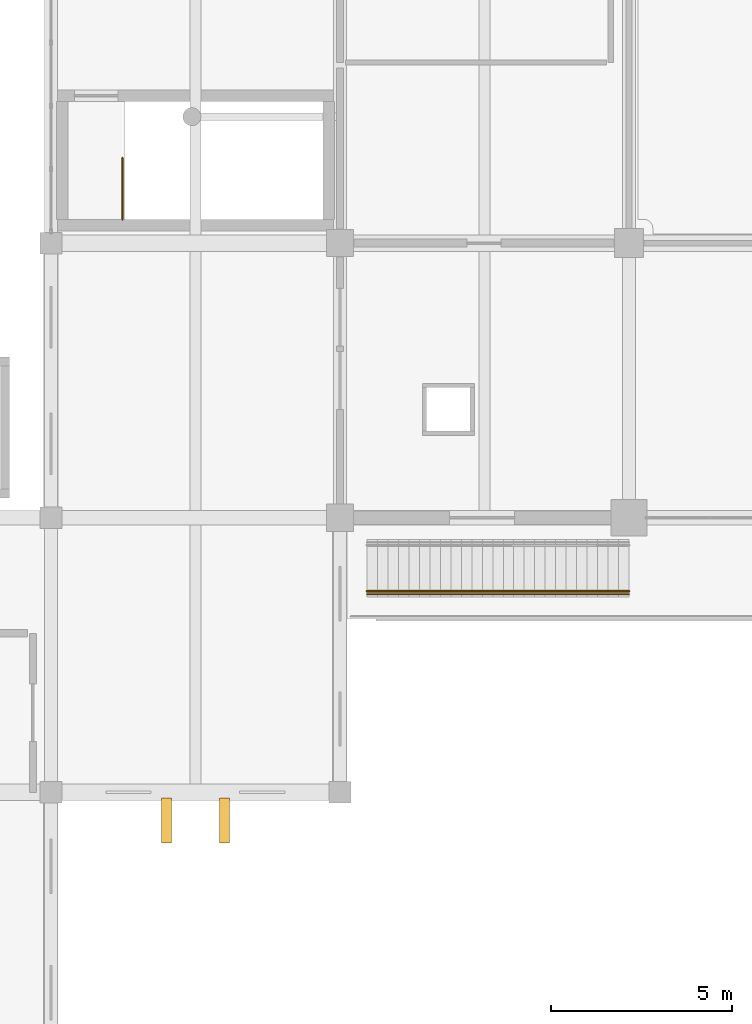
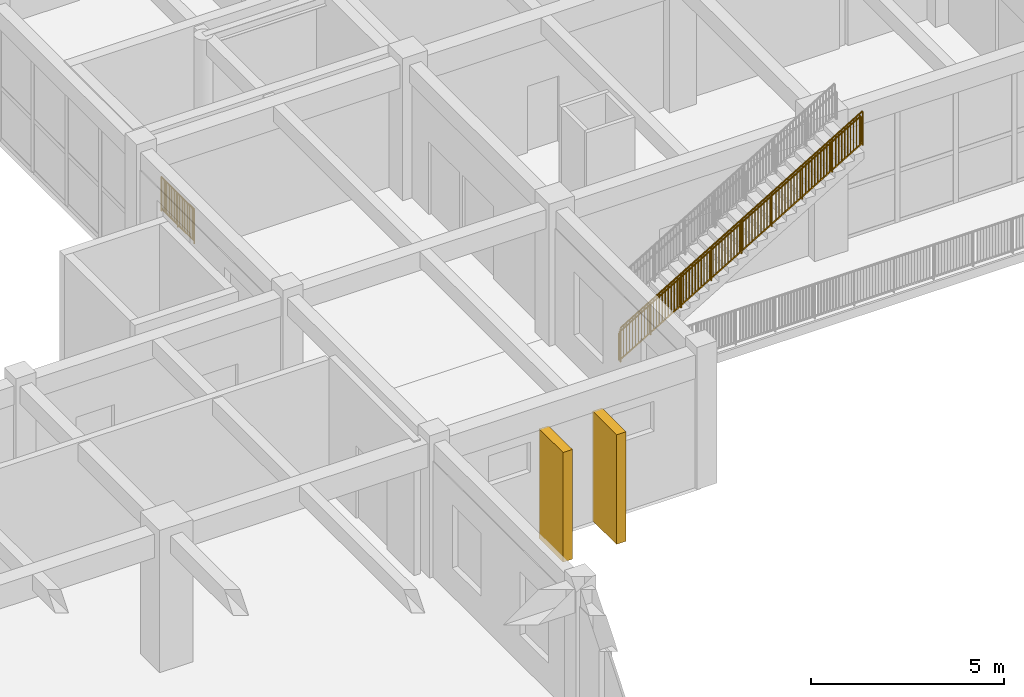
# One storey, part 68 of 79: 3 railings, 2 shading devices.
"""IFC4 building model written with IfcOpenShell, lengths in metres."""

from ifc_helpers import new_model, si_unit, direction, frame, origin, origin_2d, place, context, subcontext, project, spatial, rectangle, circle, extrude, material, type_object, element, save


model = new_model("IFC4")

# Units and contexts
model_context = context("Model", 3, precision=1e-05, world=origin(), true_north=direction((0.0, 1.0)))
body_context = subcontext(model_context, "Body", "Model", "MODEL_VIEW")
ifc_project = project(units=[si_unit("LENGTHUNIT", "METRE"), si_unit("AREAUNIT", "SQUARE_METRE"), si_unit("VOLUMEUNIT", "CUBIC_METRE"), si_unit("PLANEANGLEUNIT", "RADIAN"), si_unit("MASSUNIT", "GRAM", prefix="KILO")], contexts=[model_context])

# Site, building, storey
site_placement = place(None, origin())
site = spatial("IfcSite", under=ifc_project, at=site_placement, CompositionType="ELEMENT")
building_placement = place(site_placement, origin())
building = spatial("IfcBuilding", under=site, at=building_placement, Name="Zantavel Square City Hall", CompositionType="ELEMENT")
storey_placement = place(building_placement, frame((0.0, 0.0, 10.199951171875)))
storey = spatial("IfcBuildingStorey", under=building, at=storey_placement, Name="L03", CompositionType="ELEMENT", Elevation=10.199951171875)

# Railing
ifc_material_1 = material(Name="Steel ASTM A500 Grade B", Category="steel")
railing_type_1 = type_object("IfcRailingType", Name="Atrium & Gallery Steel Guard Railing 1100mm", PredefinedType="GUARDRAIL", material=ifc_material_1)
railing_1_placement = place(storey_placement, frame((49.97998046875, 38.64990234375, 0.0)))
element("IfcRailing", 1, at=railing_1_placement, inside=storey, type_object=railing_type_1, Name="L03 ST3 top well guard 1", PredefinedType="GUARDRAIL", context=body_context, shape_type="SweptSolid", body=[
    extrude(circle(Radius=0.02392578125, at=origin_2d()), frame((0.0, 0.0, 1.076171875), z_axis=(0.0, 1.0, 0.0), x_axis=(-1.0, 0.0, 0.0)), (0.0, 0.0, 1.0), 1.710205078125),
    extrude(rectangle(XDim=0.031982421875, YDim=0.031982421875, at=origin_2d()), frame((0.0, 0.0, 0.080078125), z_axis=(0.0, 1.0, 0.0), x_axis=(-1.0, 0.0, 0.0)), (0.0, 0.0, 1.0), 1.710205078125),
    extrude(rectangle(XDim=0.02197265625, YDim=0.02197265625, at=origin_2d()), frame((0.0, 0.08544921875, 0.080078125)), (0.0, 0.0, 1.0), 0.971923828125),
    extrude(rectangle(XDim=0.02197265625, YDim=0.02197265625, at=origin_2d()), frame((0.0, 0.1708984375, 0.080078125)), (0.0, 0.0, 1.0), 0.971923828125),
    extrude(rectangle(XDim=0.02197265625, YDim=0.02197265625, at=origin_2d()), frame((0.0, 0.256591796875, 0.080078125)), (0.0, 0.0, 1.0), 0.971923828125),
    extrude(rectangle(XDim=0.02197265625, YDim=0.02197265625, at=origin_2d()), frame((0.0, 0.342041015625, 0.080078125)), (0.0, 0.0, 1.0), 0.971923828125),
    extrude(rectangle(XDim=0.02197265625, YDim=0.02197265625, at=origin_2d()), frame((0.0, 0.427490234375, 0.080078125)), (0.0, 0.0, 1.0), 0.971923828125),
    extrude(rectangle(XDim=0.02197265625, YDim=0.02197265625, at=origin_2d()), frame((0.0, 0.51318359375, 0.080078125)), (0.0, 0.0, 1.0), 0.971923828125),
    extrude(rectangle(XDim=0.02197265625, YDim=0.02197265625, at=origin_2d()), frame((0.0, 0.5986328125, 0.080078125)), (0.0, 0.0, 1.0), 0.971923828125),
    extrude(rectangle(XDim=0.02197265625, YDim=0.02197265625, at=origin_2d()), frame((0.0, 0.68408203125, 0.080078125)), (0.0, 0.0, 1.0), 0.971923828125),
    extrude(rectangle(XDim=0.02197265625, YDim=0.02197265625, at=origin_2d()), frame((0.0, 0.76953125, 0.080078125)), (0.0, 0.0, 1.0), 0.971923828125),
    extrude(rectangle(XDim=0.02197265625, YDim=0.02197265625, at=origin_2d()), frame((0.0, 0.940673828125, 0.080078125)), (0.0, 0.0, 1.0), 0.971923828125),
    extrude(rectangle(XDim=0.02197265625, YDim=0.02197265625, at=origin_2d()), frame((0.0, 1.026123046875, 0.080078125)), (0.0, 0.0, 1.0), 0.971923828125),
    extrude(rectangle(XDim=0.02197265625, YDim=0.02197265625, at=origin_2d()), frame((0.0, 1.111572265625, 0.080078125)), (0.0, 0.0, 1.0), 0.971923828125),
    extrude(rectangle(XDim=0.02197265625, YDim=0.02197265625, at=origin_2d()), frame((0.0, 1.197265625, 0.080078125)), (0.0, 0.0, 1.0), 0.971923828125),
    extrude(rectangle(XDim=0.02197265625, YDim=0.02197265625, at=origin_2d()), frame((0.0, 1.28271484375, 0.080078125)), (0.0, 0.0, 1.0), 0.971923828125),
    extrude(rectangle(XDim=0.02197265625, YDim=0.02197265625, at=origin_2d()), frame((0.0, 1.3681640625, 0.080078125)), (0.0, 0.0, 1.0), 0.971923828125),
    extrude(rectangle(XDim=0.02197265625, YDim=0.02197265625, at=origin_2d()), frame((0.0, 1.45361328125, 0.080078125)), (0.0, 0.0, 1.0), 0.971923828125),
    extrude(rectangle(XDim=0.02197265625, YDim=0.02197265625, at=origin_2d()), frame((0.0, 1.5390625, 0.080078125)), (0.0, 0.0, 1.0), 0.971923828125),
    extrude(rectangle(XDim=0.02197265625, YDim=0.02197265625, at=origin_2d()), frame((0.0, 1.624755859375, 0.080078125)), (0.0, 0.0, 1.0), 0.971923828125),
    extrude(circle(Radius=0.02099609375, at=origin_2d()), origin(), (0.0, 0.0, 1.0), 1.052001953125),
    extrude(circle(Radius=0.02099609375, at=origin_2d()), frame((0.0, 0.85498046875, 0.0)), (0.0, 0.0, 1.0), 1.052001953125),
    extrude(circle(Radius=0.02099609375, at=origin_2d()), frame((0.0, 1.710205078125, 0.0)), (0.0, 0.0, 1.0), 1.052001953125),
])

# Shading devices
ifc_material_2 = material(Name="Cantera volcanic tuff stone", Category="masonry")
shading_device_type = type_object("IfcShadingDeviceType", Name="Cantera Vertical Solar Shading Pier 280x1240", PredefinedType="USERDEFINED", material=ifc_material_2)
for number, where, z_axis, x_axis, name in (
    (2, (52.800048828125, 22.02001953125, 0.0), (0.0, 0.0, 1.0), (1.0, 0.0, 0.0), "L03 Cantera Solar Pier 023"),
    (3, (51.199951171875, 22.02001953125, 0.0), (0.0, 0.0, 1.0), (1.0, 0.0, 0.0), "L03 Cantera Solar Pier 024"),
):
    element("IfcShadingDevice", number, at=place(storey_placement, frame(where, z_axis=z_axis, x_axis=x_axis)), inside=storey, type_object=shading_device_type, Name=name, ObjectType="FIN", PredefinedType="USERDEFINED", context=body_context, shape_type="SweptSolid", body=[
        extrude(rectangle(XDim=0.280029296875, YDim=1.239990234375, at=origin_2d()), origin(), (0.0, 0.0, 1.0), 3.469970703125),
    ])

# Railings
railing_type_2 = type_object("IfcRailingType", Name="Classical Stone & Steel Terrace Balustrade 1100mm", PredefinedType="BALUSTRADE", material=ifc_material_1)
railing_2_placement = place(storey_placement, frame((56.75, 28.280029296875, 0.173095703125)))
element("IfcRailing", 4, at=railing_2_placement, inside=storey, type_object=railing_type_2, Name="Outdoor Stair ST-TR4 Balustered Guard R", PredefinedType="BALUSTRADE", context=body_context, shape_type="SweptSolid", body=[
    extrude(circle(Radius=0.02392578125, at=origin_2d()), frame((0.0, 0.0, 1.076171875), z_axis=(0.858697395518, 0.0, 0.512482958673), x_axis=(0.0, 1.0, 0.0)), (0.0, 0.0, 1.0), 8.443115234375),
    extrude(rectangle(XDim=0.031982421875, YDim=0.031982421875, at=origin_2d()), frame((0.0, 0.0, 0.080078125), z_axis=(0.858697395518, 0.0, 0.512482958673), x_axis=(0.0, 1.0, 0.0)), (0.0, 0.0, 1.0), 8.443115234375),
    extrude(rectangle(XDim=0.02197265625, YDim=0.02197265625, at=origin_2d()), frame((0.089599609375, 0.0, 0.13330078125)), (0.0, 0.0, 1.0), 0.971923828125),
    extrude(rectangle(XDim=0.02197265625, YDim=0.02197265625, at=origin_2d()), frame((0.178955078125, 0.0, 0.186767578125)), (0.0, 0.0, 1.0), 0.971923828125),
    extrude(rectangle(XDim=0.02197265625, YDim=0.02197265625, at=origin_2d()), frame((0.2685546875, 0.0, 0.240234375)), (0.0, 0.0, 1.0), 0.971923828125),
    extrude(rectangle(XDim=0.02197265625, YDim=0.02197265625, at=origin_2d()), frame((0.35791015625, 0.0, 0.293701171875)), (0.0, 0.0, 1.0), 0.971923828125),
    extrude(rectangle(XDim=0.02197265625, YDim=0.02197265625, at=origin_2d()), frame((0.447509765625, 0.0, 0.34716796875)), (0.0, 0.0, 1.0), 0.971923828125),
    extrude(rectangle(XDim=0.02197265625, YDim=0.02197265625, at=origin_2d()), frame((0.537109375, 0.0, 0.400390625)), (0.0, 0.0, 1.0), 0.971923828125),
    extrude(rectangle(XDim=0.02197265625, YDim=0.02197265625, at=origin_2d()), frame((0.62646484375, 0.0, 0.453857421875)), (0.0, 0.0, 1.0), 0.971923828125),
    extrude(rectangle(XDim=0.02197265625, YDim=0.02197265625, at=origin_2d()), frame((0.716064453125, 0.0, 0.50732421875)), (0.0, 0.0, 1.0), 0.971923828125),
    extrude(rectangle(XDim=0.02197265625, YDim=0.02197265625, at=origin_2d()), frame((0.8056640625, 0.0, 0.560791015625)), (0.0, 0.0, 1.0), 0.971923828125),
    extrude(rectangle(XDim=0.02197265625, YDim=0.02197265625, at=origin_2d()), frame((0.984619140625, 0.0, 0.667724609375)), (0.0, 0.0, 1.0), 0.971923828125),
    extrude(rectangle(XDim=0.02197265625, YDim=0.02197265625, at=origin_2d()), frame((1.073974609375, 0.0, 0.720947265625)), (0.0, 0.0, 1.0), 0.971923828125),
    extrude(rectangle(XDim=0.02197265625, YDim=0.02197265625, at=origin_2d()), frame((1.16357421875, 0.0, 0.7744140625)), (0.0, 0.0, 1.0), 0.971923828125),
    extrude(rectangle(XDim=0.02197265625, YDim=0.02197265625, at=origin_2d()), frame((1.253173828125, 0.0, 0.827880859375)), (0.0, 0.0, 1.0), 0.971923828125),
    extrude(rectangle(XDim=0.02197265625, YDim=0.02197265625, at=origin_2d()), frame((1.342529296875, 0.0, 0.88134765625)), (0.0, 0.0, 1.0), 0.971923828125),
    extrude(rectangle(XDim=0.02197265625, YDim=0.02197265625, at=origin_2d()), frame((1.43212890625, 0.0, 0.934814453125)), (0.0, 0.0, 1.0), 0.971923828125),
    extrude(rectangle(XDim=0.02197265625, YDim=0.02197265625, at=origin_2d()), frame((1.521484375, 0.0, 0.988037109375)), (0.0, 0.0, 1.0), 0.971923828125),
    extrude(rectangle(XDim=0.02197265625, YDim=0.02197265625, at=origin_2d()), frame((1.611083984375, 0.0, 1.04150390625)), (0.0, 0.0, 1.0), 0.971923828125),
    extrude(rectangle(XDim=0.02197265625, YDim=0.02197265625, at=origin_2d()), frame((1.70068359375, 0.0, 1.094970703125)), (0.0, 0.0, 1.0), 0.971923828125),
    extrude(rectangle(XDim=0.02197265625, YDim=0.02197265625, at=origin_2d()), frame((1.879638671875, 0.0, 1.201904296875)), (0.0, 0.0, 1.0), 0.971923828125),
    extrude(rectangle(XDim=0.02197265625, YDim=0.02197265625, at=origin_2d()), frame((1.96923828125, 0.0, 1.255126953125)), (0.0, 0.0, 1.0), 0.971923828125),
    extrude(rectangle(XDim=0.02197265625, YDim=0.02197265625, at=origin_2d()), frame((2.05859375, 0.0, 1.30859375)), (0.0, 0.0, 1.0), 0.971923828125),
    extrude(rectangle(XDim=0.02197265625, YDim=0.02197265625, at=origin_2d()), frame((2.148193359375, 0.0, 1.362060546875)), (0.0, 0.0, 1.0), 0.971923828125),
    extrude(rectangle(XDim=0.02197265625, YDim=0.02197265625, at=origin_2d()), frame((2.237548828125, 0.0, 1.41552734375)), (0.0, 0.0, 1.0), 0.971923828125),
    extrude(rectangle(XDim=0.02197265625, YDim=0.02197265625, at=origin_2d()), frame((2.3271484375, 0.0, 1.468994140625)), (0.0, 0.0, 1.0), 0.971923828125),
    extrude(rectangle(XDim=0.02197265625, YDim=0.02197265625, at=origin_2d()), frame((2.416748046875, 0.0, 1.522216796875)), (0.0, 0.0, 1.0), 0.971923828125),
    extrude(rectangle(XDim=0.02197265625, YDim=0.02197265625, at=origin_2d()), frame((2.506103515625, 0.0, 1.57568359375)), (0.0, 0.0, 1.0), 0.971923828125),
    extrude(rectangle(XDim=0.02197265625, YDim=0.02197265625, at=origin_2d()), frame((2.595703125, 0.0, 1.629150390625)), (0.0, 0.0, 1.0), 0.971923828125),
    extrude(rectangle(XDim=0.02197265625, YDim=0.02197265625, at=origin_2d()), frame((2.774658203125, 0.0, 1.736083984375)), (0.0, 0.0, 1.0), 0.971923828125),
    extrude(rectangle(XDim=0.02197265625, YDim=0.02197265625, at=origin_2d()), frame((2.8642578125, 0.0, 1.789306640625)), (0.0, 0.0, 1.0), 0.971923828125),
    extrude(rectangle(XDim=0.02197265625, YDim=0.02197265625, at=origin_2d()), frame((2.95361328125, 0.0, 1.8427734375)), (0.0, 0.0, 1.0), 0.971923828125),
    extrude(rectangle(XDim=0.02197265625, YDim=0.02197265625, at=origin_2d()), frame((3.043212890625, 0.0, 1.896240234375)), (0.0, 0.0, 1.0), 0.971923828125),
    extrude(rectangle(XDim=0.02197265625, YDim=0.02197265625, at=origin_2d()), frame((3.1328125, 0.0, 1.94970703125)), (0.0, 0.0, 1.0), 0.971923828125),
    extrude(rectangle(XDim=0.02197265625, YDim=0.02197265625, at=origin_2d()), frame((3.22216796875, 0.0, 2.003173828125)), (0.0, 0.0, 1.0), 0.971923828125),
    extrude(rectangle(XDim=0.02197265625, YDim=0.02197265625, at=origin_2d()), frame((3.311767578125, 0.0, 2.056396484375)), (0.0, 0.0, 1.0), 0.971923828125),
    extrude(rectangle(XDim=0.02197265625, YDim=0.02197265625, at=origin_2d()), frame((3.401123046875, 0.0, 2.10986328125)), (0.0, 0.0, 1.0), 0.971923828125),
    extrude(rectangle(XDim=0.02197265625, YDim=0.02197265625, at=origin_2d()), frame((3.49072265625, 0.0, 2.163330078125)), (0.0, 0.0, 1.0), 0.971923828125),
    extrude(rectangle(XDim=0.02197265625, YDim=0.02197265625, at=origin_2d()), frame((3.580322265625, 0.0, 2.216796875)), (0.0, 0.0, 1.0), 0.971923828125),
    extrude(rectangle(XDim=0.02197265625, YDim=0.02197265625, at=origin_2d()), frame((3.669677734375, 0.0, 2.270263671875)), (0.0, 0.0, 1.0), 0.971923828125),
    extrude(rectangle(XDim=0.02197265625, YDim=0.02197265625, at=origin_2d()), frame((3.75927734375, 0.0, 2.323486328125)), (0.0, 0.0, 1.0), 0.971923828125),
    extrude(rectangle(XDim=0.02197265625, YDim=0.02197265625, at=origin_2d()), frame((3.848876953125, 0.0, 2.376953125)), (0.0, 0.0, 1.0), 0.971923828125),
    extrude(rectangle(XDim=0.02197265625, YDim=0.02197265625, at=origin_2d()), frame((3.938232421875, 0.0, 2.430419921875)), (0.0, 0.0, 1.0), 0.971923828125),
    extrude(rectangle(XDim=0.02197265625, YDim=0.02197265625, at=origin_2d()), frame((4.02783203125, 0.0, 2.48388671875)), (0.0, 0.0, 1.0), 0.971923828125),
    extrude(rectangle(XDim=0.02197265625, YDim=0.02197265625, at=origin_2d()), frame((4.1171875, 0.0, 2.537353515625)), (0.0, 0.0, 1.0), 0.971923828125),
    extrude(rectangle(XDim=0.02197265625, YDim=0.02197265625, at=origin_2d()), frame((4.206787109375, 0.0, 2.590576171875)), (0.0, 0.0, 1.0), 0.971923828125),
    extrude(rectangle(XDim=0.02197265625, YDim=0.02197265625, at=origin_2d()), frame((4.29638671875, 0.0, 2.64404296875)), (0.0, 0.0, 1.0), 0.971923828125),
    extrude(rectangle(XDim=0.02197265625, YDim=0.02197265625, at=origin_2d()), frame((4.3857421875, 0.0, 2.697509765625)), (0.0, 0.0, 1.0), 0.971923828125),
    extrude(rectangle(XDim=0.02197265625, YDim=0.02197265625, at=origin_2d()), frame((4.475341796875, 0.0, 2.7509765625)), (0.0, 0.0, 1.0), 0.971923828125),
    extrude(rectangle(XDim=0.02197265625, YDim=0.02197265625, at=origin_2d()), frame((4.654296875, 0.0, 2.857666015625)), (0.0, 0.0, 1.0), 0.971923828125),
    extrude(rectangle(XDim=0.02197265625, YDim=0.02197265625, at=origin_2d()), frame((4.743896484375, 0.0, 2.9111328125)), (0.0, 0.0, 1.0), 0.971923828125),
    extrude(rectangle(XDim=0.02197265625, YDim=0.02197265625, at=origin_2d()), frame((4.833251953125, 0.0, 2.964599609375)), (0.0, 0.0, 1.0), 0.971923828125),
    extrude(rectangle(XDim=0.02197265625, YDim=0.02197265625, at=origin_2d()), frame((4.9228515625, 0.0, 3.01806640625)), (0.0, 0.0, 1.0), 0.971923828125),
    extrude(rectangle(XDim=0.02197265625, YDim=0.02197265625, at=origin_2d()), frame((5.012451171875, 0.0, 3.071533203125)), (0.0, 0.0, 1.0), 0.971923828125),
    extrude(rectangle(XDim=0.02197265625, YDim=0.02197265625, at=origin_2d()), frame((5.101806640625, 0.0, 3.124755859375)), (0.0, 0.0, 1.0), 0.971923828125),
    extrude(rectangle(XDim=0.02197265625, YDim=0.02197265625, at=origin_2d()), frame((5.19140625, 0.0, 3.17822265625)), (0.0, 0.0, 1.0), 0.971923828125),
    extrude(rectangle(XDim=0.02197265625, YDim=0.02197265625, at=origin_2d()), frame((5.28076171875, 0.0, 3.231689453125)), (0.0, 0.0, 1.0), 0.971923828125),
    extrude(rectangle(XDim=0.02197265625, YDim=0.02197265625, at=origin_2d()), frame((5.370361328125, 0.0, 3.28515625)), (0.0, 0.0, 1.0), 0.971923828125),
    extrude(rectangle(XDim=0.02197265625, YDim=0.02197265625, at=origin_2d()), frame((5.54931640625, 0.0, 3.391845703125)), (0.0, 0.0, 1.0), 0.971923828125),
    extrude(rectangle(XDim=0.02197265625, YDim=0.02197265625, at=origin_2d()), frame((5.638916015625, 0.0, 3.4453125)), (0.0, 0.0, 1.0), 0.971923828125),
    extrude(rectangle(XDim=0.02197265625, YDim=0.02197265625, at=origin_2d()), frame((5.728515625, 0.0, 3.498779296875)), (0.0, 0.0, 1.0), 0.971923828125),
    extrude(rectangle(XDim=0.02197265625, YDim=0.02197265625, at=origin_2d()), frame((5.81787109375, 0.0, 3.55224609375)), (0.0, 0.0, 1.0), 0.971923828125),
    extrude(rectangle(XDim=0.02197265625, YDim=0.02197265625, at=origin_2d()), frame((5.907470703125, 0.0, 3.605712890625)), (0.0, 0.0, 1.0), 0.971923828125),
    extrude(rectangle(XDim=0.02197265625, YDim=0.02197265625, at=origin_2d()), frame((5.996826171875, 0.0, 3.658935546875)), (0.0, 0.0, 1.0), 0.971923828125),
    extrude(rectangle(XDim=0.02197265625, YDim=0.02197265625, at=origin_2d()), frame((6.08642578125, 0.0, 3.71240234375)), (0.0, 0.0, 1.0), 0.971923828125),
    extrude(rectangle(XDim=0.02197265625, YDim=0.02197265625, at=origin_2d()), frame((6.176025390625, 0.0, 3.765869140625)), (0.0, 0.0, 1.0), 0.971923828125),
    extrude(rectangle(XDim=0.02197265625, YDim=0.02197265625, at=origin_2d()), frame((6.265380859375, 0.0, 3.8193359375)), (0.0, 0.0, 1.0), 0.971923828125),
    extrude(rectangle(XDim=0.02197265625, YDim=0.02197265625, at=origin_2d()), frame((6.4443359375, 0.0, 3.926025390625)), (0.0, 0.0, 1.0), 0.971923828125),
    extrude(rectangle(XDim=0.02197265625, YDim=0.02197265625, at=origin_2d()), frame((6.533935546875, 0.0, 3.9794921875)), (0.0, 0.0, 1.0), 0.971923828125),
    extrude(rectangle(XDim=0.02197265625, YDim=0.02197265625, at=origin_2d()), frame((6.62353515625, 0.0, 4.032958984375)), (0.0, 0.0, 1.0), 0.971923828125),
    extrude(rectangle(XDim=0.02197265625, YDim=0.02197265625, at=origin_2d()), frame((6.712890625, 0.0, 4.08642578125)), (0.0, 0.0, 1.0), 0.971923828125),
    extrude(rectangle(XDim=0.02197265625, YDim=0.02197265625, at=origin_2d()), frame((6.802490234375, 0.0, 4.139892578125)), (0.0, 0.0, 1.0), 0.971923828125),
    extrude(rectangle(XDim=0.02197265625, YDim=0.02197265625, at=origin_2d()), frame((6.89208984375, 0.0, 4.193115234375)), (0.0, 0.0, 1.0), 0.971923828125),
    extrude(rectangle(XDim=0.02197265625, YDim=0.02197265625, at=origin_2d()), frame((6.9814453125, 0.0, 4.24658203125)), (0.0, 0.0, 1.0), 0.971923828125),
    extrude(rectangle(XDim=0.02197265625, YDim=0.02197265625, at=origin_2d()), frame((7.071044921875, 0.0, 4.300048828125)), (0.0, 0.0, 1.0), 0.971923828125),
    extrude(rectangle(XDim=0.02197265625, YDim=0.02197265625, at=origin_2d()), frame((7.160400390625, 0.0, 4.353515625)), (0.0, 0.0, 1.0), 0.971923828125),
    extrude(circle(Radius=0.02099609375, at=origin_2d()), origin(), (0.0, 0.0, 1.0), 1.052001953125),
    extrude(circle(Radius=0.02099609375, at=origin_2d()), frame((0.90625, 0.0, 0.540771484375)), (0.0, 0.0, 1.0), 1.052001953125),
    extrude(circle(Radius=0.02099609375, at=origin_2d()), frame((1.8125, 0.0, 1.081787109375)), (0.0, 0.0, 1.0), 1.052001953125),
    extrude(circle(Radius=0.02099609375, at=origin_2d()), frame((2.71875, 0.0, 1.62255859375)), (0.0, 0.0, 1.0), 1.052001953125),
    extrude(circle(Radius=0.02099609375, at=origin_2d()), frame((3.625, 0.0, 2.16357421875)), (0.0, 0.0, 1.0), 1.052001953125),
    extrude(circle(Radius=0.02099609375, at=origin_2d()), frame((4.53125, 0.0, 2.704345703125)), (0.0, 0.0, 1.0), 1.052001953125),
    extrude(circle(Radius=0.02099609375, at=origin_2d()), frame((5.4375, 0.0, 3.2451171875)), (0.0, 0.0, 1.0), 1.052001953125),
    extrude(circle(Radius=0.02099609375, at=origin_2d()), frame((6.34375, 0.0, 3.7861328125)), (0.0, 0.0, 1.0), 1.052001953125),
    extrude(circle(Radius=0.02099609375, at=origin_2d()), frame((7.25, 0.0, 4.326904296875)), (0.0, 0.0, 1.0), 1.052001953125),
])
ifc_material_3 = material(Name="Stainless steel 316", Category="steel")
railing_type_3 = type_object("IfcRailingType", Name="Stair Stainless Steel Handrail 900mm", PredefinedType="HANDRAIL", material=ifc_material_3)
railing_3_placement = place(storey_placement, frame((56.75, 28.366455078125, 0.173095703125)))
element("IfcRailing", 5, at=railing_3_placement, inside=storey, type_object=railing_type_3, Name="Outdoor Stair ST-TR4 Handrail R", PredefinedType="HANDRAIL", context=body_context, shape_type="SweptSolid", body=[
    extrude(circle(Radius=0.02392578125, at=origin_2d()), frame((0.0, 0.0, 0.8759765625), z_axis=(0.858697395518, 0.0, 0.512482958673), x_axis=(0.0, 1.0, 0.0)), (0.0, 0.0, 1.0), 8.443115234375),
    extrude(circle(Radius=0.02099609375, at=origin_2d()), origin(), (0.0, 0.0, 1.0), 0.851806640625),
    extrude(circle(Radius=0.02099609375, at=origin_2d()), frame((0.90625, 0.0, 0.540771484375)), (0.0, 0.0, 1.0), 0.851806640625),
    extrude(circle(Radius=0.02099609375, at=origin_2d()), frame((1.8125, 0.0, 1.081787109375)), (0.0, 0.0, 1.0), 0.851806640625),
    extrude(circle(Radius=0.02099609375, at=origin_2d()), frame((2.71875, 0.0, 1.62255859375)), (0.0, 0.0, 1.0), 0.851806640625),
    extrude(circle(Radius=0.02099609375, at=origin_2d()), frame((3.625, 0.0, 2.16357421875)), (0.0, 0.0, 1.0), 0.851806640625),
    extrude(circle(Radius=0.02099609375, at=origin_2d()), frame((4.53125, 0.0, 2.704345703125)), (0.0, 0.0, 1.0), 0.851806640625),
    extrude(circle(Radius=0.02099609375, at=origin_2d()), frame((5.4375, 0.0, 3.2451171875)), (0.0, 0.0, 1.0), 0.851806640625),
    extrude(circle(Radius=0.02099609375, at=origin_2d()), frame((6.34375, 0.0, 3.7861328125)), (0.0, 0.0, 1.0), 0.851806640625),
    extrude(circle(Radius=0.02099609375, at=origin_2d()), frame((7.25, 0.0, 4.326904296875)), (0.0, 0.0, 1.0), 0.851806640625),
])

save(model, "model.ifc")
